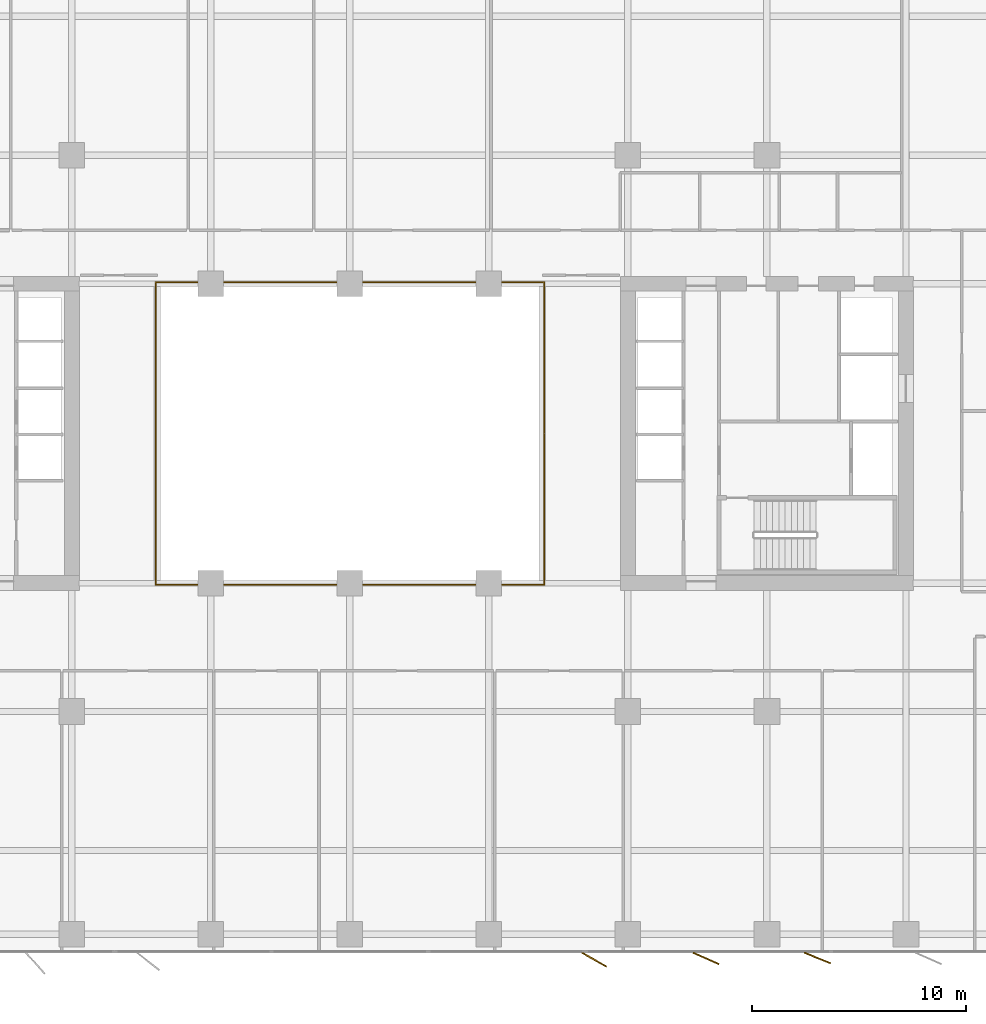
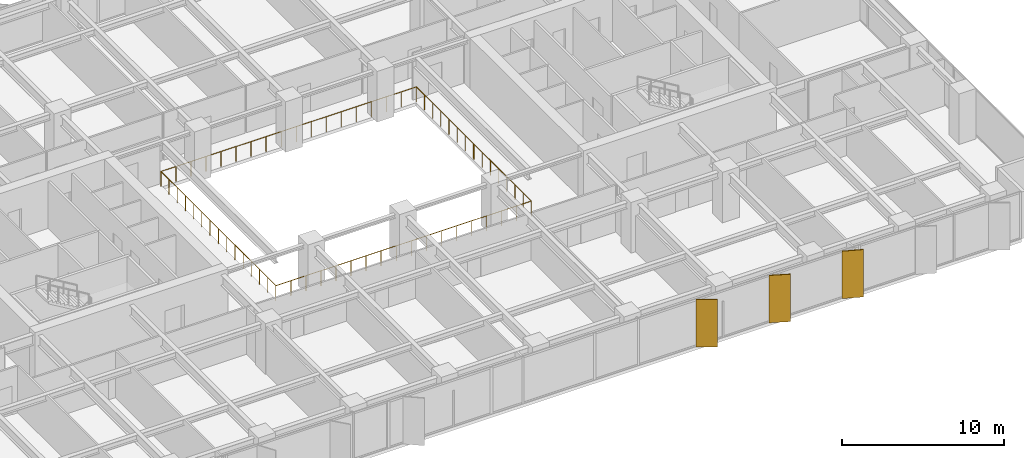
# One storey, part 18 of 20: 3 shading devices, 2 railings.
"""IFC4 building model written with IfcOpenShell, lengths in metres."""

from ifc_helpers import new_model, si_unit, direction, frame, origin, origin_2d, place, context, subcontext, project, spatial, rectangle, circle, extrude, material, layer, layer_set, type_object, element, save


model = new_model("IFC4")

# Units and contexts
model_context = context("Model", 3, precision=1e-05, world=origin(), true_north=direction((0.0, 1.0)))
body_context = subcontext(model_context, "Body", "Model", "MODEL_VIEW")
ifc_project = project(units=[si_unit("LENGTHUNIT", "METRE"), si_unit("AREAUNIT", "SQUARE_METRE"), si_unit("VOLUMEUNIT", "CUBIC_METRE"), si_unit("PLANEANGLEUNIT", "RADIAN"), si_unit("MASSUNIT", "GRAM", prefix="KILO")], contexts=[model_context])

# Site, building, storey
site_placement = place(None, origin())
site = spatial("IfcSite", under=ifc_project, at=site_placement, CompositionType="ELEMENT")
building_placement = place(site_placement, origin())
building = spatial("IfcBuilding", under=site, at=building_placement, Name="Putna Gate Headquarters", CompositionType="ELEMENT")
storey_placement = place(building_placement, frame((0.0, 0.0, 135.39990234375)))
storey = spatial("IfcBuildingStorey", under=building, at=storey_placement, Name="L33", CompositionType="ELEMENT", Elevation=135.39990234375)

# Railings
ifc_material_1 = material(Name="Anodised bronze and laminated glass atrium balustrade", Category="glass")
railing_type = type_object("IfcRailingType", Name="RAIL-ATRIUM-GUARD-1150", PredefinedType="GUARDRAIL", material=ifc_material_1)
railing_1_placement = place(storey_placement, frame((29.919921875, 25.969970703125, 0.0)))
element("IfcRailing", 1, at=railing_1_placement, inside=storey, type_object=railing_type, Name="L33 Central Atrium Glazed Balustrade South", PredefinedType="GUARDRAIL", context=body_context, shape_type="SweptSolid", body=[
    extrude(circle(Radius=0.02392578125, at=origin_2d()), frame((0.0, 0.0, 1.1259765625), z_axis=(0.0, -1.0, 0.0), x_axis=(1.0, 0.0, 0.0)), (0.0, 0.0, 1.0), 7.050048828125),
    extrude(circle(Radius=0.02392578125, at=origin_2d()), frame((0.0, -7.050048828125, 1.1259765625), z_axis=(1.0, 0.0, 0.0), x_axis=(0.0, 1.0, 0.0)), (0.0, 0.0, 1.0), 18.16015625),
    extrude(circle(Radius=0.02392578125, at=origin_2d()), frame((18.16015625, -7.050048828125, 1.1259765625), z_axis=(0.0, 1.0, 0.0), x_axis=(-1.0, 0.0, 0.0)), (0.0, 0.0, 1.0), 7.050048828125),
    extrude(circle(Radius=0.02099609375, at=origin_2d()), origin(), (0.0, 0.0, 1.0), 1.101806640625),
    extrude(circle(Radius=0.02099609375, at=origin_2d()), frame((0.0, -1.007080078125, 0.0)), (0.0, 0.0, 1.0), 1.101806640625),
    extrude(circle(Radius=0.02099609375, at=origin_2d()), frame((0.0, -2.014404296875, 0.0)), (0.0, 0.0, 1.0), 1.101806640625),
    extrude(circle(Radius=0.02099609375, at=origin_2d()), frame((0.0, -3.021484375, 0.0)), (0.0, 0.0, 1.0), 1.101806640625),
    extrude(circle(Radius=0.02099609375, at=origin_2d()), frame((0.0, -4.028564453125, 0.0)), (0.0, 0.0, 1.0), 1.101806640625),
    extrude(circle(Radius=0.02099609375, at=origin_2d()), frame((0.0, -5.03564453125, 0.0)), (0.0, 0.0, 1.0), 1.101806640625),
    extrude(circle(Radius=0.02099609375, at=origin_2d()), frame((0.0, -6.04296875, 0.0)), (0.0, 0.0, 1.0), 1.101806640625),
    extrude(circle(Radius=0.02099609375, at=origin_2d()), frame((0.0, -7.050048828125, 0.0)), (0.0, 0.0, 1.0), 1.101806640625),
    extrude(circle(Radius=0.02099609375, at=origin_2d()), frame((1.068359375, -7.050048828125, 0.0)), (0.0, 0.0, 1.0), 1.101806640625),
    extrude(circle(Radius=0.02099609375, at=origin_2d()), frame((2.136474609375, -7.050048828125, 0.0)), (0.0, 0.0, 1.0), 1.101806640625),
    extrude(circle(Radius=0.02099609375, at=origin_2d()), frame((3.204833984375, -7.050048828125, 0.0)), (0.0, 0.0, 1.0), 1.101806640625),
    extrude(circle(Radius=0.02099609375, at=origin_2d()), frame((4.27294921875, -7.050048828125, 0.0)), (0.0, 0.0, 1.0), 1.101806640625),
    extrude(circle(Radius=0.02099609375, at=origin_2d()), frame((5.34130859375, -7.050048828125, 0.0)), (0.0, 0.0, 1.0), 1.101806640625),
    extrude(circle(Radius=0.02099609375, at=origin_2d()), frame((6.409423828125, -7.050048828125, 0.0)), (0.0, 0.0, 1.0), 1.101806640625),
    extrude(circle(Radius=0.02099609375, at=origin_2d()), frame((7.477783203125, -7.050048828125, 0.0)), (0.0, 0.0, 1.0), 1.101806640625),
    extrude(circle(Radius=0.02099609375, at=origin_2d()), frame((8.5458984375, -7.050048828125, 0.0)), (0.0, 0.0, 1.0), 1.101806640625),
    extrude(circle(Radius=0.02099609375, at=origin_2d()), frame((9.6142578125, -7.050048828125, 0.0)), (0.0, 0.0, 1.0), 1.101806640625),
    extrude(circle(Radius=0.02099609375, at=origin_2d()), frame((10.682373046875, -7.050048828125, 0.0)), (0.0, 0.0, 1.0), 1.101806640625),
    extrude(circle(Radius=0.02099609375, at=origin_2d()), frame((11.750732421875, -7.050048828125, 0.0)), (0.0, 0.0, 1.0), 1.101806640625),
    extrude(circle(Radius=0.02099609375, at=origin_2d()), frame((12.81884765625, -7.050048828125, 0.0)), (0.0, 0.0, 1.0), 1.101806640625),
    extrude(circle(Radius=0.02099609375, at=origin_2d()), frame((13.88720703125, -7.050048828125, 0.0)), (0.0, 0.0, 1.0), 1.101806640625),
    extrude(circle(Radius=0.02099609375, at=origin_2d()), frame((14.955322265625, -7.050048828125, 0.0)), (0.0, 0.0, 1.0), 1.101806640625),
    extrude(circle(Radius=0.02099609375, at=origin_2d()), frame((16.023681640625, -7.050048828125, 0.0)), (0.0, 0.0, 1.0), 1.101806640625),
    extrude(circle(Radius=0.02099609375, at=origin_2d()), frame((17.091796875, -7.050048828125, 0.0)), (0.0, 0.0, 1.0), 1.101806640625),
    extrude(circle(Radius=0.02099609375, at=origin_2d()), frame((18.16015625, -7.050048828125, 0.0)), (0.0, 0.0, 1.0), 1.101806640625),
    extrude(circle(Radius=0.02099609375, at=origin_2d()), frame((18.16015625, -6.04296875, 0.0)), (0.0, 0.0, 1.0), 1.101806640625),
    extrude(circle(Radius=0.02099609375, at=origin_2d()), frame((18.16015625, -5.03564453125, 0.0)), (0.0, 0.0, 1.0), 1.101806640625),
    extrude(circle(Radius=0.02099609375, at=origin_2d()), frame((18.16015625, -4.028564453125, 0.0)), (0.0, 0.0, 1.0), 1.101806640625),
    extrude(circle(Radius=0.02099609375, at=origin_2d()), frame((18.16015625, -3.021484375, 0.0)), (0.0, 0.0, 1.0), 1.101806640625),
    extrude(circle(Radius=0.02099609375, at=origin_2d()), frame((18.16015625, -2.014404296875, 0.0)), (0.0, 0.0, 1.0), 1.101806640625),
    extrude(circle(Radius=0.02099609375, at=origin_2d()), frame((18.16015625, -1.007080078125, 0.0)), (0.0, 0.0, 1.0), 1.101806640625),
    extrude(circle(Radius=0.02099609375, at=origin_2d()), frame((18.16015625, 0.0, 0.0)), (0.0, 0.0, 1.0), 1.101806640625),
])
railing_2_placement = place(storey_placement, frame((48.080078125, 26.030029296875, 0.0)))
element("IfcRailing", 2, at=railing_2_placement, inside=storey, type_object=railing_type, Name="L33 Central Atrium Glazed Balustrade North", PredefinedType="GUARDRAIL", context=body_context, shape_type="SweptSolid", body=[
    extrude(circle(Radius=0.02392578125, at=origin_2d()), frame((0.0, 0.0, 1.1259765625), z_axis=(0.0, 1.0, 0.0), x_axis=(-1.0, 0.0, 0.0)), (0.0, 0.0, 1.0), 7.050048828125),
    extrude(circle(Radius=0.02392578125, at=origin_2d()), frame((0.0, 7.050048828125, 1.1259765625), z_axis=(-1.0, 0.0, 0.0), x_axis=(0.0, -1.0, 0.0)), (0.0, 0.0, 1.0), 18.16015625),
    extrude(circle(Radius=0.02392578125, at=origin_2d()), frame((-18.16015625, 7.050048828125, 1.1259765625), z_axis=(0.0, -1.0, 0.0), x_axis=(1.0, 0.0, 0.0)), (0.0, 0.0, 1.0), 7.050048828125),
    extrude(circle(Radius=0.02099609375, at=origin_2d()), origin(), (0.0, 0.0, 1.0), 1.101806640625),
    extrude(circle(Radius=0.02099609375, at=origin_2d()), frame((0.0, 1.007080078125, 0.0)), (0.0, 0.0, 1.0), 1.101806640625),
    extrude(circle(Radius=0.02099609375, at=origin_2d()), frame((0.0, 2.014404296875, 0.0)), (0.0, 0.0, 1.0), 1.101806640625),
    extrude(circle(Radius=0.02099609375, at=origin_2d()), frame((0.0, 3.021484375, 0.0)), (0.0, 0.0, 1.0), 1.101806640625),
    extrude(circle(Radius=0.02099609375, at=origin_2d()), frame((0.0, 4.028564453125, 0.0)), (0.0, 0.0, 1.0), 1.101806640625),
    extrude(circle(Radius=0.02099609375, at=origin_2d()), frame((0.0, 5.03564453125, 0.0)), (0.0, 0.0, 1.0), 1.101806640625),
    extrude(circle(Radius=0.02099609375, at=origin_2d()), frame((0.0, 6.04296875, 0.0)), (0.0, 0.0, 1.0), 1.101806640625),
    extrude(circle(Radius=0.02099609375, at=origin_2d()), frame((0.0, 7.050048828125, 0.0)), (0.0, 0.0, 1.0), 1.101806640625),
    extrude(circle(Radius=0.02099609375, at=origin_2d()), frame((-1.068359375, 7.050048828125, 0.0)), (0.0, 0.0, 1.0), 1.101806640625),
    extrude(circle(Radius=0.02099609375, at=origin_2d()), frame((-2.136474609375, 7.050048828125, 0.0)), (0.0, 0.0, 1.0), 1.101806640625),
    extrude(circle(Radius=0.02099609375, at=origin_2d()), frame((-3.204833984375, 7.050048828125, 0.0)), (0.0, 0.0, 1.0), 1.101806640625),
    extrude(circle(Radius=0.02099609375, at=origin_2d()), frame((-4.27294921875, 7.050048828125, 0.0)), (0.0, 0.0, 1.0), 1.101806640625),
    extrude(circle(Radius=0.02099609375, at=origin_2d()), frame((-5.34130859375, 7.050048828125, 0.0)), (0.0, 0.0, 1.0), 1.101806640625),
    extrude(circle(Radius=0.02099609375, at=origin_2d()), frame((-6.409423828125, 7.050048828125, 0.0)), (0.0, 0.0, 1.0), 1.101806640625),
    extrude(circle(Radius=0.02099609375, at=origin_2d()), frame((-7.477783203125, 7.050048828125, 0.0)), (0.0, 0.0, 1.0), 1.101806640625),
    extrude(circle(Radius=0.02099609375, at=origin_2d()), frame((-8.5458984375, 7.050048828125, 0.0)), (0.0, 0.0, 1.0), 1.101806640625),
    extrude(circle(Radius=0.02099609375, at=origin_2d()), frame((-9.6142578125, 7.050048828125, 0.0)), (0.0, 0.0, 1.0), 1.101806640625),
    extrude(circle(Radius=0.02099609375, at=origin_2d()), frame((-10.682373046875, 7.050048828125, 0.0)), (0.0, 0.0, 1.0), 1.101806640625),
    extrude(circle(Radius=0.02099609375, at=origin_2d()), frame((-11.750732421875, 7.050048828125, 0.0)), (0.0, 0.0, 1.0), 1.101806640625),
    extrude(circle(Radius=0.02099609375, at=origin_2d()), frame((-12.81884765625, 7.050048828125, 0.0)), (0.0, 0.0, 1.0), 1.101806640625),
    extrude(circle(Radius=0.02099609375, at=origin_2d()), frame((-13.88720703125, 7.050048828125, 0.0)), (0.0, 0.0, 1.0), 1.101806640625),
    extrude(circle(Radius=0.02099609375, at=origin_2d()), frame((-14.955322265625, 7.050048828125, 0.0)), (0.0, 0.0, 1.0), 1.101806640625),
    extrude(circle(Radius=0.02099609375, at=origin_2d()), frame((-16.023681640625, 7.050048828125, 0.0)), (0.0, 0.0, 1.0), 1.101806640625),
    extrude(circle(Radius=0.02099609375, at=origin_2d()), frame((-17.091796875, 7.050048828125, 0.0)), (0.0, 0.0, 1.0), 1.101806640625),
    extrude(circle(Radius=0.02099609375, at=origin_2d()), frame((-18.16015625, 7.050048828125, 0.0)), (0.0, 0.0, 1.0), 1.101806640625),
    extrude(circle(Radius=0.02099609375, at=origin_2d()), frame((-18.16015625, 6.04296875, 0.0)), (0.0, 0.0, 1.0), 1.101806640625),
    extrude(circle(Radius=0.02099609375, at=origin_2d()), frame((-18.16015625, 5.03564453125, 0.0)), (0.0, 0.0, 1.0), 1.101806640625),
    extrude(circle(Radius=0.02099609375, at=origin_2d()), frame((-18.16015625, 4.028564453125, 0.0)), (0.0, 0.0, 1.0), 1.101806640625),
    extrude(circle(Radius=0.02099609375, at=origin_2d()), frame((-18.16015625, 3.021484375, 0.0)), (0.0, 0.0, 1.0), 1.101806640625),
    extrude(circle(Radius=0.02099609375, at=origin_2d()), frame((-18.16015625, 2.014404296875, 0.0)), (0.0, 0.0, 1.0), 1.101806640625),
    extrude(circle(Radius=0.02099609375, at=origin_2d()), frame((-18.16015625, 1.007080078125, 0.0)), (0.0, 0.0, 1.0), 1.101806640625),
    extrude(circle(Radius=0.02099609375, at=origin_2d()), frame((-18.16015625, 0.0, 0.0)), (0.0, 0.0, 1.0), 1.101806640625),
])

# Shading devices
ifc_material_2 = material(Name="Anodised architectural bronze aluminium fin", Category="aluminium")
ifc_layer = layer(ifc_material_2, 0.06494140625)
ifc_layer_set = layer_set([ifc_layer], Name="Anodised architectural bronze aluminium fin")
shading_device_type = type_object("IfcShadingDeviceType", Name="SHADE-BRONZE-FIN-1320", PredefinedType="USERDEFINED", material=ifc_layer_set)
for number, where, z_axis, x_axis, name in (
    (3, (50.423828125, 1.398681640625, -0.02001953125), (0.0, 0.0, 1.0), (0.869322458298, -0.494245347472, 0.0), "L33 Bronze Vertical Shading Fin S8"),
    (4, (55.653076171875, 1.456787109375, -0.02001953125), (0.0, 0.0, 1.0), (0.913687379856, -0.40641773078, 0.0), "L33 Bronze Vertical Shading Fin S9"),
    (5, (60.86181640625, 1.477783203125, -0.02001953125), (0.0, 0.0, 1.0), (0.927183854567, -0.374606593416, 0.0), "L33 Bronze Vertical Shading Fin S10"),
):
    element("IfcShadingDevice", number, at=place(storey_placement, frame(where, z_axis=z_axis, x_axis=x_axis)), inside=storey, type_object=shading_device_type, Name=name, ObjectType="FIN", PredefinedType="USERDEFINED", context=body_context, shape_type="SweptSolid", body=[
        extrude(rectangle(XDim=1.320068359375, YDim=0.06494140625, at=origin_2d()), origin(), (0.0, 0.0, 1.0), 3.56005859375),
    ])

save(model, "model.ifc")
